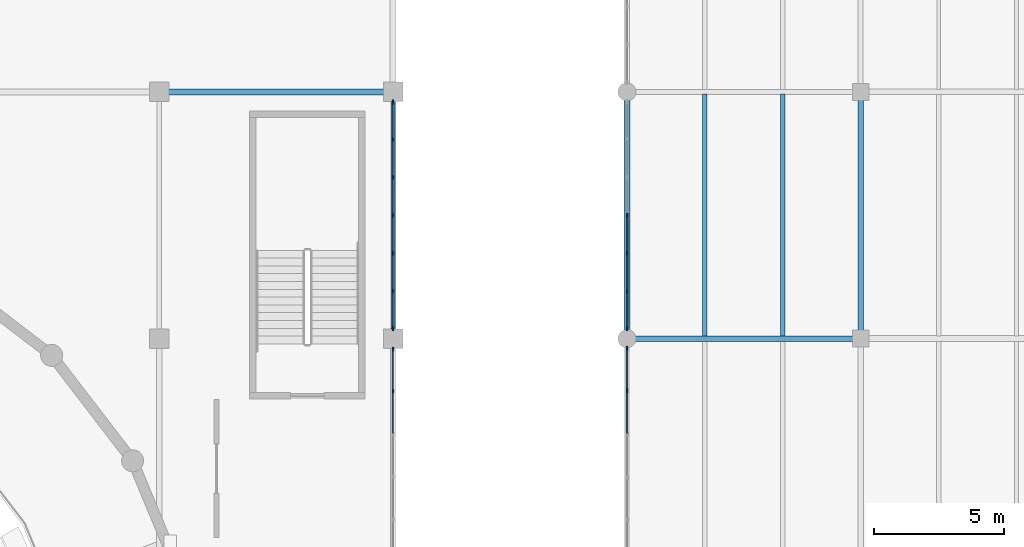
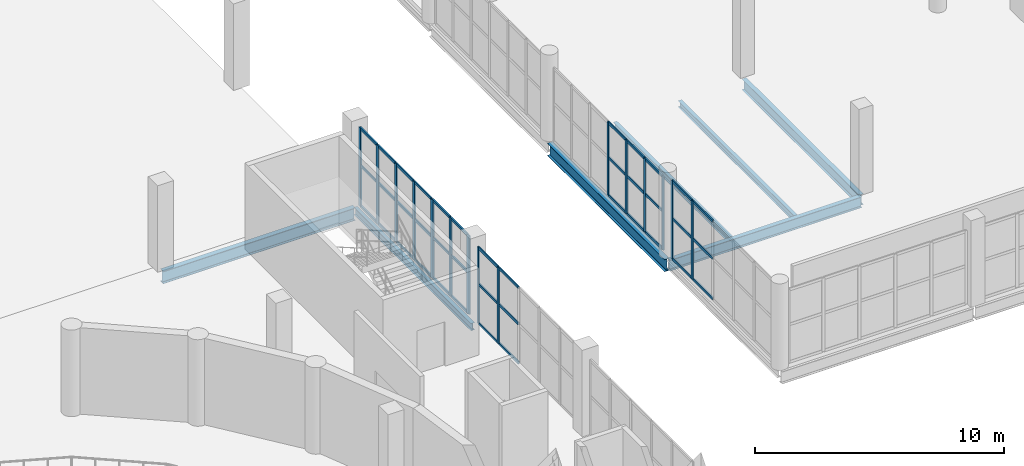
# One storey, part 41 of 85: 54 members, 7 beams, 4 elements without a shape of their own.
"""IFC4 building model written with IfcOpenShell, lengths in metres."""

from ifc_helpers import new_model, si_unit, direction, frame, origin, origin_2d, place, context, subcontext, project, spatial, rectangle, i_section, extrude, material, layer, layer_set, material_profile, profile_set, type_object, element, aggregate, save


model = new_model("IFC4")

# Units and contexts
model_context = context("Model", 3, precision=1e-05, world=origin(), true_north=direction((0.0, 1.0)))
body_context = subcontext(model_context, "Body", "Model", "MODEL_VIEW")
ifc_project = project(units=[si_unit("LENGTHUNIT", "METRE"), si_unit("AREAUNIT", "SQUARE_METRE"), si_unit("VOLUMEUNIT", "CUBIC_METRE"), si_unit("PLANEANGLEUNIT", "RADIAN"), si_unit("MASSUNIT", "GRAM", prefix="KILO")], contexts=[model_context])

# Site, building, storey
site_placement = place(None, origin())
site = spatial("IfcSite", under=ifc_project, at=site_placement, CompositionType="ELEMENT")
building_placement = place(site_placement, origin())
building = spatial("IfcBuilding", under=site, at=building_placement, Name="Marnock Terrace Opera House", CompositionType="ELEMENT")
storey_placement = place(building_placement, frame((0.0, 0.0, 10.199951171875)))
storey = spatial("IfcBuildingStorey", under=building, at=storey_placement, Name="L02", CompositionType="ELEMENT", Elevation=10.199951171875)

# Beams
ifc_material_1 = material(Name="Steel Grade 350 (AS/NZS 3679.1)", Category="steel")
ifc_material_profile_1 = material_profile(ifc_material_1, i_section(OverallWidth=0.1708984375, OverallDepth=0.355712890625, WebThickness=0.00732421875, FlangeThickness=0.011474609375, FilletRadius=0.011474609375, at=origin_2d()))
ifc_profile_set_1 = profile_set([ifc_material_profile_1], Name="Steel Grade 350 (AS/NZS 3679.1)")
beam_type_1 = type_object("IfcBeamType", Name="BM-GIRD-360", PredefinedType="BEAM", material=ifc_profile_set_1)
beam_1_placement = place(storey_placement, frame((109.0, 75.050048828125, -0.437744140625), z_axis=(0.0, 1.0, 0.0), x_axis=(-1.0, 0.0, 0.0)))
element("IfcBeam", 1, at=beam_1_placement, inside=storey, type_object=beam_type_1, Name="L02 girder (X=109.0, 75.0..84.5)", PredefinedType="BEAM", context=body_context, shape_type="SweptSolid", body=[
    extrude(i_section(OverallWidth=0.1708984375, OverallDepth=0.355712890625, WebThickness=0.00732421875, FlangeThickness=0.011474609375, FilletRadius=0.011474609375, at=origin_2d()), origin(), (0.0, 0.0, 1.0), 9.39990234375),
])
ifc_material_profile_2 = material_profile(ifc_material_1, i_section(OverallWidth=0.208984375, OverallDepth=0.532958984375, WebThickness=0.01025390625, FlangeThickness=0.015625, FilletRadius=0.013916015625, at=origin_2d()))
ifc_profile_set_2 = profile_set([ifc_material_profile_2], Name="Steel Grade 350 (AS/NZS 3679.1)")
beam_type_2 = type_object("IfcBeamType", Name="BM-GIRD-530A", PredefinedType="BEAM", material=ifc_profile_set_2)
beam_2_placement = place(storey_placement, frame((118.050048828125, 75.0, -0.5263671875), z_axis=(1.0, 0.0, 0.0), x_axis=(0.0, 1.0, 0.0)))
element("IfcBeam", 2, at=beam_2_placement, inside=storey, type_object=beam_type_2, Name="L02 girder (118.0..127.0, Y=75.0)", PredefinedType="BEAM", context=body_context, shape_type="SweptSolid", body=[
    extrude(i_section(OverallWidth=0.208984375, OverallDepth=0.532958984375, WebThickness=0.01025390625, FlangeThickness=0.015625, FilletRadius=0.013916015625, at=origin_2d()), origin(), (0.0, 0.0, 1.0), 8.89990234375),
])
ifc_material_profile_3 = material_profile(ifc_material_1, i_section(OverallWidth=0.208984375, OverallDepth=0.528076171875, WebThickness=0.009521484375, FlangeThickness=0.01318359375, FilletRadius=0.013916015625, at=origin_2d()))
ifc_profile_set_3 = profile_set([ifc_material_profile_3], Name="Steel Grade 350 (AS/NZS 3679.1)")
beam_type_3 = type_object("IfcBeamType", Name="BM-GIRD-530B", PredefinedType="BEAM", material=ifc_profile_set_3)
beam_3_placement = place(storey_placement, frame((127.0, 75.050048828125, -0.52392578125), z_axis=(0.0, 1.0, 0.0), x_axis=(-1.0, 0.0, 0.0)))
element("IfcBeam", 3, at=beam_3_placement, inside=storey, type_object=beam_type_3, Name="L02 girder (X=127.0, 75.0..84.5)", PredefinedType="BEAM", context=body_context, shape_type="SweptSolid", body=[
    extrude(i_section(OverallWidth=0.208984375, OverallDepth=0.528076171875, WebThickness=0.009521484375, FlangeThickness=0.01318359375, FilletRadius=0.013916015625, at=origin_2d()), origin(), (0.0, 0.0, 1.0), 9.39990234375),
])
ifc_material_profile_4 = material_profile(ifc_material_1, i_section(OverallWidth=0.22900390625, OverallDepth=0.611572265625, WebThickness=0.011962890625, FlangeThickness=0.01953125, FilletRadius=0.013916015625, at=origin_2d()))
ifc_profile_set_4 = profile_set([ifc_material_profile_4], Name="Steel Grade 350 (AS/NZS 3679.1)")
beam_type_4 = type_object("IfcBeamType", Name="BM-GIRD-610A", PredefinedType="BEAM", material=ifc_profile_set_4)
beam_4_placement = place(storey_placement, frame((100.050048828125, 84.5, -0.565673828125), z_axis=(1.0, 0.0, 0.0), x_axis=(0.0, 1.0, 0.0)))
element("IfcBeam", 4, at=beam_4_placement, inside=storey, type_object=beam_type_4, Name="L02 girder (100.0..109.0, Y=84.5)", PredefinedType="BEAM", context=body_context, shape_type="SweptSolid", body=[
    extrude(i_section(OverallWidth=0.22900390625, OverallDepth=0.611572265625, WebThickness=0.011962890625, FlangeThickness=0.01953125, FilletRadius=0.013916015625, at=origin_2d()), origin(), (0.0, 0.0, 1.0), 8.89990234375),
])
ifc_material_profile_5 = material_profile(ifc_material_1, i_section(OverallWidth=0.22802734375, OverallDepth=0.60205078125, WebThickness=0.010498046875, FlangeThickness=0.014892578125, FilletRadius=0.013916015625, at=origin_2d()))
ifc_profile_set_5 = profile_set([ifc_material_profile_5], Name="Steel Grade 350 (AS/NZS 3679.1)")
beam_type_5 = type_object("IfcBeamType", Name="BM-GIRD-610C", PredefinedType="BEAM", material=ifc_profile_set_5)
beam_5_placement = place(storey_placement, frame((118.0, 75.050048828125, -0.56103515625), z_axis=(0.0, 1.0, 0.0), x_axis=(-1.0, 0.0, 0.0)))
element("IfcBeam", 5, at=beam_5_placement, inside=storey, type_object=beam_type_5, Name="L02 girder (X=118.0, 75.0..84.5)", PredefinedType="BEAM", context=body_context, shape_type="SweptSolid", body=[
    extrude(i_section(OverallWidth=0.22802734375, OverallDepth=0.60205078125, WebThickness=0.010498046875, FlangeThickness=0.014892578125, FilletRadius=0.013916015625, at=origin_2d()), origin(), (0.0, 0.0, 1.0), 9.39990234375),
])
ifc_material_profile_6 = material_profile(ifc_material_1, i_section(OverallWidth=0.166015625, OverallDepth=0.30712890625, WebThickness=0.006591796875, FlangeThickness=0.01171875, FilletRadius=0.011474609375, at=origin_2d()))
ifc_profile_set_6 = profile_set([ifc_material_profile_6], Name="Steel Grade 350 (AS/NZS 3679.1)")
beam_type_6 = type_object("IfcBeamType", Name="BM-JOIST-310A", PredefinedType="JOIST", material=ifc_profile_set_6)
for number, where, z_axis, x_axis, name in (
    (6, (121.0, 75.099609375, -0.41357421875), (0.0, 1.0, 0.0), (-1.0, 0.0, 0.0), "L02 secondary joist 13.9.1"),
    (7, (124.0, 75.099609375, -0.41357421875), (0.0, 1.0, 0.0), (-1.0, 0.0, 0.0), "L02 secondary joist 13.9.2"),
):
    element("IfcBeam", number, at=place(storey_placement, frame(where, z_axis=z_axis, x_axis=x_axis)), inside=storey, type_object=beam_type_6, Name=name, PredefinedType="JOIST", context=body_context, shape_type="SweptSolid", body=[
        extrude(i_section(OverallWidth=0.166015625, OverallDepth=0.30712890625, WebThickness=0.006591796875, FlangeThickness=0.01171875, FilletRadius=0.011474609375, at=origin_2d()), origin(), (0.0, 0.0, 1.0), 9.309814453125),
    ])

# Curtain wall, members
ifc_material_2 = material(Name="Anodised architectural bronze aluminium framing", Category="aluminium")
ifc_layer_1 = layer(ifc_material_2, 0.159912109375)
ifc_layer_set_1 = layer_set([ifc_layer_1], Name="Anodised architectural bronze aluminium framing")
curtain_wall_type_1 = type_object("IfcCurtainWallType", Name="CW-FOYER-90x42", PredefinedType="NOTDEFINED", material=ifc_layer_set_1)
curtain_wall_1_placement = place(storey_placement, origin())
curtain_wall_1 = element("IfcCurtainWall", 8, at=curtain_wall_1_placement, inside=storey, type_object=curtain_wall_type_1, Name="L02 glazed Beaux-Arts colonnade curtain wall CW-V1E-L02-08", PredefinedType="NOTDEFINED")
ifc_material_profile_7 = material_profile(ifc_material_2, rectangle(XDim=0.06005859375, YDim=0.14990234375, at=origin_2d()))
ifc_profile_set_7 = profile_set([ifc_material_profile_7], Name="Anodised architectural bronze aluminium framing")
member_type_1 = type_object("IfcMemberType", Name="CWM-60x150", PredefinedType="MULLION", material=ifc_profile_set_7)
member_1_placement = place(storey_placement, frame((109.0, 72.977294921875, 0.0), z_axis=(0.0, 0.0, 1.0), x_axis=(-1.0, 0.0, 0.0)))
member_1 = element("IfcMember", 9, at=member_1_placement, type_object=member_type_1, Name="CW-68 mullion 5", PredefinedType="MULLION", context=body_context, shape_type="SweptSolid", body=[
    extrude(rectangle(XDim=0.06005859375, YDim=0.14990234375, at=origin_2d()), origin(), (0.0, 0.0, 1.0), 3.752685546875),
])
member_2_placement = place(storey_placement, frame((109.0, 74.59912109375, 0.0), z_axis=(0.0, 0.0, 1.0), x_axis=(-1.0, 0.0, 0.0)))
member_2 = element("IfcMember", 10, at=member_2_placement, type_object=member_type_1, Name="CW-68 mullion 6", PredefinedType="MULLION", context=body_context, shape_type="SweptSolid", body=[
    extrude(rectangle(XDim=0.06005859375, YDim=0.14990234375, at=origin_2d()), origin(), (0.0, 0.0, 1.0), 3.752685546875),
])

ifc_layer_2 = layer(ifc_material_2, 0.159912109375)
ifc_layer_set_2 = layer_set([ifc_layer_2], Name="Anodised architectural bronze aluminium framing")
curtain_wall_type_2 = type_object("IfcCurtainWallType", Name="CW-LOGGIA-86x42", PredefinedType="NOTDEFINED", material=ifc_layer_set_2)
curtain_wall_2_placement = place(storey_placement, origin())
curtain_wall_2 = element("IfcCurtainWall", 11, at=curtain_wall_2_placement, inside=storey, type_object=curtain_wall_type_2, Name="L02 glazed Beaux-Arts colonnade curtain wall CW-V5-L02-W5", PredefinedType="NOTDEFINED")
member_3_placement = place(storey_placement, frame((118.0, 72.992431640625, 0.0), z_axis=(0.0, 0.0, 1.0), x_axis=(-1.0, 0.0, 0.0)))
member_3 = element("IfcMember", 12, at=member_3_placement, type_object=member_type_1, Name="CW-66 mullion 5", PredefinedType="MULLION", context=body_context, shape_type="SweptSolid", body=[
    extrude(rectangle(XDim=0.06005859375, YDim=0.14990234375, at=origin_2d()), origin(), (0.0, 0.0, 1.0), 3.8544921875),
])
member_4_placement = place(storey_placement, frame((118.0, 74.6240234375, 0.0), z_axis=(0.0, 0.0, 1.0), x_axis=(-1.0, 0.0, 0.0)))
member_4 = element("IfcMember", 13, at=member_4_placement, type_object=member_type_1, Name="CW-66 mullion 6", PredefinedType="MULLION", context=body_context, shape_type="SweptSolid", body=[
    extrude(rectangle(XDim=0.06005859375, YDim=0.14990234375, at=origin_2d()), origin(), (0.0, 0.0, 1.0), 3.8544921875),
])

ifc_layer_3 = layer(ifc_material_2, 0.159912109375)
ifc_layer_set_3 = layer_set([ifc_layer_3], Name="Anodised architectural bronze aluminium framing")
curtain_wall_type_3 = type_object("IfcCurtainWallType", Name="CW-FOYER-95x42", PredefinedType="NOTDEFINED", material=ifc_layer_set_3)
curtain_wall_3_placement = place(storey_placement, origin())
curtain_wall_3 = element("IfcCurtainWall", 14, at=curtain_wall_3_placement, inside=storey, type_object=curtain_wall_type_3, Name="L02 glazed Beaux-Arts colonnade curtain wall CW-V5-L02-W6", PredefinedType="NOTDEFINED")
member_5_placement = place(storey_placement, frame((118.0, 75.3759765625, 0.0), z_axis=(0.0, 0.0, 1.0), x_axis=(-1.0, 0.0, 0.0)))
member_5 = element("IfcMember", 15, at=member_5_placement, type_object=member_type_1, Name="CW-17 mullion 1", PredefinedType="MULLION", context=body_context, shape_type="SweptSolid", body=[
    extrude(rectangle(XDim=0.06005859375, YDim=0.14990234375, at=origin_2d()), origin(), (0.0, 0.0, 1.0), 3.608154296875),
])
member_6_placement = place(storey_placement, frame((118.0, 76.81396484375, 0.0), z_axis=(0.0, 0.0, 1.0), x_axis=(-1.0, 0.0, 0.0)))
member_6 = element("IfcMember", 16, at=member_6_placement, type_object=member_type_1, Name="CW-17 mullion 2", PredefinedType="MULLION", context=body_context, shape_type="SweptSolid", body=[
    extrude(rectangle(XDim=0.06005859375, YDim=0.14990234375, at=origin_2d()), origin(), (0.0, 0.0, 1.0), 3.608154296875),
])
member_7_placement = place(storey_placement, frame((118.0, 78.281982421875, 0.0), z_axis=(0.0, 0.0, 1.0), x_axis=(-1.0, 0.0, 0.0)))
member_7 = element("IfcMember", 17, at=member_7_placement, type_object=member_type_1, Name="CW-17 mullion 3", PredefinedType="MULLION", context=body_context, shape_type="SweptSolid", body=[
    extrude(rectangle(XDim=0.06005859375, YDim=0.14990234375, at=origin_2d()), origin(), (0.0, 0.0, 1.0), 3.608154296875),
])
member_8_placement = place(storey_placement, frame((118.0, 79.75, 0.0), z_axis=(0.0, 0.0, 1.0), x_axis=(-1.0, 0.0, 0.0)))
member_8 = element("IfcMember", 18, at=member_8_placement, type_object=member_type_1, Name="CW-17 mullion 4", PredefinedType="MULLION", context=body_context, shape_type="SweptSolid", body=[
    extrude(rectangle(XDim=0.06005859375, YDim=0.14990234375, at=origin_2d()), origin(), (0.0, 0.0, 1.0), 3.608154296875),
])

curtain_wall_4_placement = place(storey_placement, origin())
curtain_wall_4 = element("IfcCurtainWall", 19, at=curtain_wall_4_placement, inside=storey, type_object=curtain_wall_type_1, Name="L02 glazed Beaux-Arts colonnade curtain wall CW-V1E-L02-09", PredefinedType="NOTDEFINED")
ifc_material_profile_8 = material_profile(ifc_material_2, rectangle(XDim=0.06494140625, YDim=0.179931640625, at=origin_2d()))
ifc_profile_set_8 = profile_set([ifc_material_profile_8], Name="Anodised architectural bronze aluminium framing")
member_type_2 = type_object("IfcMemberType", Name="CWM-65x180", PredefinedType="MULLION", material=ifc_profile_set_8)
member_9_placement = place(storey_placement, frame((109.0, 75.40087890625, 0.0), z_axis=(0.0, 0.0, 1.0), x_axis=(-1.0, 0.0, 0.0)))
member_9 = element("IfcMember", 20, at=member_9_placement, type_object=member_type_2, Name="CW-68 mullion 1", PredefinedType="MULLION", context=body_context, shape_type="SweptSolid", body=[
    extrude(rectangle(XDim=0.06494140625, YDim=0.179931640625, at=origin_2d()), origin(), (0.0, 0.0, 1.0), 3.8544921875),
])
member_10_placement = place(storey_placement, frame((109.0, 76.83056640625, 0.0), z_axis=(0.0, 0.0, 1.0), x_axis=(-1.0, 0.0, 0.0)))
member_10 = element("IfcMember", 21, at=member_10_placement, type_object=member_type_2, Name="CW-68 mullion 2", PredefinedType="MULLION", context=body_context, shape_type="SweptSolid", body=[
    extrude(rectangle(XDim=0.06494140625, YDim=0.179931640625, at=origin_2d()), origin(), (0.0, 0.0, 1.0), 3.8544921875),
])
member_11_placement = place(storey_placement, frame((109.0, 78.290283203125, 0.0), z_axis=(0.0, 0.0, 1.0), x_axis=(-1.0, 0.0, 0.0)))
member_11 = element("IfcMember", 22, at=member_11_placement, type_object=member_type_2, Name="CW-68 mullion 3", PredefinedType="MULLION", context=body_context, shape_type="SweptSolid", body=[
    extrude(rectangle(XDim=0.06494140625, YDim=0.179931640625, at=origin_2d()), origin(), (0.0, 0.0, 1.0), 3.8544921875),
])
member_12_placement = place(storey_placement, frame((109.0, 79.75, 0.0), z_axis=(0.0, 0.0, 1.0), x_axis=(-1.0, 0.0, 0.0)))
member_12 = element("IfcMember", 23, at=member_12_placement, type_object=member_type_2, Name="CW-68 mullion 4", PredefinedType="MULLION", context=body_context, shape_type="SweptSolid", body=[
    extrude(rectangle(XDim=0.06494140625, YDim=0.179931640625, at=origin_2d()), origin(), (0.0, 0.0, 1.0), 3.8544921875),
])
member_13_placement = place(storey_placement, frame((109.0, 81.209716796875, 0.0), z_axis=(0.0, 0.0, 1.0), x_axis=(-1.0, 0.0, 0.0)))
member_13 = element("IfcMember", 24, at=member_13_placement, type_object=member_type_2, Name="CW-68 mullion 5", PredefinedType="MULLION", context=body_context, shape_type="SweptSolid", body=[
    extrude(rectangle(XDim=0.06494140625, YDim=0.179931640625, at=origin_2d()), origin(), (0.0, 0.0, 1.0), 3.8544921875),
])
member_14_placement = place(storey_placement, frame((109.0, 82.66943359375, 0.0), z_axis=(0.0, 0.0, 1.0), x_axis=(-1.0, 0.0, 0.0)))
member_14 = element("IfcMember", 25, at=member_14_placement, type_object=member_type_2, Name="CW-68 mullion 6", PredefinedType="MULLION", context=body_context, shape_type="SweptSolid", body=[
    extrude(rectangle(XDim=0.06494140625, YDim=0.179931640625, at=origin_2d()), origin(), (0.0, 0.0, 1.0), 3.8544921875),
])
member_15_placement = place(storey_placement, frame((109.0, 84.09912109375, 0.0), z_axis=(0.0, 0.0, 1.0), x_axis=(-1.0, 0.0, 0.0)))
member_15 = element("IfcMember", 26, at=member_15_placement, type_object=member_type_2, Name="CW-68 mullion 7", PredefinedType="MULLION", context=body_context, shape_type="SweptSolid", body=[
    extrude(rectangle(XDim=0.06494140625, YDim=0.179931640625, at=origin_2d()), origin(), (0.0, 0.0, 1.0), 3.8544921875),
])

# Member
ifc_material_profile_9 = material_profile(ifc_material_2, rectangle(XDim=0.06005859375, YDim=0.1298828125, at=origin_2d()))
ifc_profile_set_9 = profile_set([ifc_material_profile_9], Name="Anodised architectural bronze aluminium framing")
member_type_3 = type_object("IfcMemberType", Name="CWT-60x130", PredefinedType="USERDEFINED", material=ifc_profile_set_9)
member_16_placement = place(storey_placement, frame((109.0, 71.355712890625, 0.030029296875), z_axis=(0.0, 1.0, 0.0), x_axis=(-1.0, 0.0, 0.0)))
member_16 = element("IfcMember", 27, at=member_16_placement, type_object=member_type_3, Name="CW-68 transom 4.1", ObjectType="TRANSOM", PredefinedType="USERDEFINED", context=body_context, shape_type="SweptSolid", body=[
    extrude(rectangle(XDim=0.06005859375, YDim=0.1298828125, at=origin_2d()), origin(), (0.0, 0.0, 1.0), 1.591796875),
])

member_17_placement = place(storey_placement, frame((109.0, 71.355712890625, 1.951416015625), z_axis=(0.0, 1.0, 0.0), x_axis=(-1.0, 0.0, 0.0)))
member_17 = element("IfcMember", 28, at=member_17_placement, type_object=member_type_3, Name="CW-68 transom 4.2", ObjectType="TRANSOM", PredefinedType="USERDEFINED", context=body_context, shape_type="SweptSolid", body=[
    extrude(rectangle(XDim=0.06005859375, YDim=0.1298828125, at=origin_2d()), origin(), (0.0, 0.0, 1.0), 1.591796875),
])

member_18_placement = place(storey_placement, frame((109.0, 71.355712890625, 3.72265625), z_axis=(0.0, 1.0, 0.0), x_axis=(-1.0, 0.0, 0.0)))
member_18 = element("IfcMember", 29, at=member_18_placement, type_object=member_type_3, Name="CW-68 transom 4.3", ObjectType="TRANSOM", PredefinedType="USERDEFINED", context=body_context, shape_type="SweptSolid", body=[
    extrude(rectangle(XDim=0.06005859375, YDim=0.1298828125, at=origin_2d()), origin(), (0.0, 0.0, 1.0), 1.591796875),
])

member_19_placement = place(storey_placement, frame((109.0, 73.00732421875, 0.030029296875), z_axis=(0.0, 1.0, 0.0), x_axis=(-1.0, 0.0, 0.0)))
member_19 = element("IfcMember", 30, at=member_19_placement, type_object=member_type_3, Name="CW-68 transom 5.1", ObjectType="TRANSOM", PredefinedType="USERDEFINED", context=body_context, shape_type="SweptSolid", body=[
    extrude(rectangle(XDim=0.06005859375, YDim=0.1298828125, at=origin_2d()), origin(), (0.0, 0.0, 1.0), 1.561767578125),
])

member_20_placement = place(storey_placement, frame((109.0, 73.00732421875, 1.951416015625), z_axis=(0.0, 1.0, 0.0), x_axis=(-1.0, 0.0, 0.0)))
member_20 = element("IfcMember", 31, at=member_20_placement, type_object=member_type_3, Name="CW-68 transom 5.2", ObjectType="TRANSOM", PredefinedType="USERDEFINED", context=body_context, shape_type="SweptSolid", body=[
    extrude(rectangle(XDim=0.06005859375, YDim=0.1298828125, at=origin_2d()), origin(), (0.0, 0.0, 1.0), 1.561767578125),
])

member_21_placement = place(storey_placement, frame((109.0, 73.00732421875, 3.72265625), z_axis=(0.0, 1.0, 0.0), x_axis=(-1.0, 0.0, 0.0)))
member_21 = element("IfcMember", 32, at=member_21_placement, type_object=member_type_3, Name="CW-68 transom 5.3", ObjectType="TRANSOM", PredefinedType="USERDEFINED", context=body_context, shape_type="SweptSolid", body=[
    extrude(rectangle(XDim=0.06005859375, YDim=0.1298828125, at=origin_2d()), origin(), (0.0, 0.0, 1.0), 1.561767578125),
])

aggregate(curtain_wall_1, [member_1, member_2, member_16, member_17, member_18, member_19, member_20, member_21])

member_22_placement = place(storey_placement, frame((109.0, 75.430908203125, 0.030029296875), z_axis=(0.0, 1.0, 0.0), x_axis=(-1.0, 0.0, 0.0)))
member_22 = element("IfcMember", 33, at=member_22_placement, type_object=member_type_3, Name="CW-68 transom 1.1", ObjectType="TRANSOM", PredefinedType="USERDEFINED", context=body_context, shape_type="SweptSolid", body=[
    extrude(rectangle(XDim=0.06005859375, YDim=0.1298828125, at=origin_2d()), origin(), (0.0, 0.0, 1.0), 1.369873046875),
])

member_23_placement = place(storey_placement, frame((109.0, 75.430908203125, 2.00439453125), z_axis=(0.0, 1.0, 0.0), x_axis=(-1.0, 0.0, 0.0)))
member_23 = element("IfcMember", 34, at=member_23_placement, type_object=member_type_3, Name="CW-68 transom 1.2", ObjectType="TRANSOM", PredefinedType="USERDEFINED", context=body_context, shape_type="SweptSolid", body=[
    extrude(rectangle(XDim=0.06005859375, YDim=0.1298828125, at=origin_2d()), origin(), (0.0, 0.0, 1.0), 1.369873046875),
])

member_24_placement = place(storey_placement, frame((109.0, 75.430908203125, 3.824462890625), z_axis=(0.0, 1.0, 0.0), x_axis=(-1.0, 0.0, 0.0)))
member_24 = element("IfcMember", 35, at=member_24_placement, type_object=member_type_3, Name="CW-68 transom 1.3", ObjectType="TRANSOM", PredefinedType="USERDEFINED", context=body_context, shape_type="SweptSolid", body=[
    extrude(rectangle(XDim=0.06005859375, YDim=0.1298828125, at=origin_2d()), origin(), (0.0, 0.0, 1.0), 1.369873046875),
])

member_25_placement = place(storey_placement, frame((109.0, 76.860595703125, 0.030029296875), z_axis=(0.0, 1.0, 0.0), x_axis=(-1.0, 0.0, 0.0)))
member_25 = element("IfcMember", 36, at=member_25_placement, type_object=member_type_3, Name="CW-68 transom 2.1", ObjectType="TRANSOM", PredefinedType="USERDEFINED", context=body_context, shape_type="SweptSolid", body=[
    extrude(rectangle(XDim=0.06005859375, YDim=0.1298828125, at=origin_2d()), origin(), (0.0, 0.0, 1.0), 1.399658203125),
])

member_26_placement = place(storey_placement, frame((109.0, 76.860595703125, 2.00439453125), z_axis=(0.0, 1.0, 0.0), x_axis=(-1.0, 0.0, 0.0)))
member_26 = element("IfcMember", 37, at=member_26_placement, type_object=member_type_3, Name="CW-68 transom 2.2", ObjectType="TRANSOM", PredefinedType="USERDEFINED", context=body_context, shape_type="SweptSolid", body=[
    extrude(rectangle(XDim=0.06005859375, YDim=0.1298828125, at=origin_2d()), origin(), (0.0, 0.0, 1.0), 1.399658203125),
])

member_27_placement = place(storey_placement, frame((109.0, 76.860595703125, 3.824462890625), z_axis=(0.0, 1.0, 0.0), x_axis=(-1.0, 0.0, 0.0)))
member_27 = element("IfcMember", 38, at=member_27_placement, type_object=member_type_3, Name="CW-68 transom 2.3", ObjectType="TRANSOM", PredefinedType="USERDEFINED", context=body_context, shape_type="SweptSolid", body=[
    extrude(rectangle(XDim=0.06005859375, YDim=0.1298828125, at=origin_2d()), origin(), (0.0, 0.0, 1.0), 1.399658203125),
])

member_28_placement = place(storey_placement, frame((109.0, 78.3203125, 0.030029296875), z_axis=(0.0, 1.0, 0.0), x_axis=(-1.0, 0.0, 0.0)))
member_28 = element("IfcMember", 39, at=member_28_placement, type_object=member_type_3, Name="CW-68 transom 3.1", ObjectType="TRANSOM", PredefinedType="USERDEFINED", context=body_context, shape_type="SweptSolid", body=[
    extrude(rectangle(XDim=0.06005859375, YDim=0.1298828125, at=origin_2d()), origin(), (0.0, 0.0, 1.0), 1.399658203125),
])

member_29_placement = place(storey_placement, frame((109.0, 78.3203125, 2.00439453125), z_axis=(0.0, 1.0, 0.0), x_axis=(-1.0, 0.0, 0.0)))
member_29 = element("IfcMember", 40, at=member_29_placement, type_object=member_type_3, Name="CW-68 transom 3.2", ObjectType="TRANSOM", PredefinedType="USERDEFINED", context=body_context, shape_type="SweptSolid", body=[
    extrude(rectangle(XDim=0.06005859375, YDim=0.1298828125, at=origin_2d()), origin(), (0.0, 0.0, 1.0), 1.399658203125),
])

member_30_placement = place(storey_placement, frame((109.0, 78.3203125, 3.824462890625), z_axis=(0.0, 1.0, 0.0), x_axis=(-1.0, 0.0, 0.0)))
member_30 = element("IfcMember", 41, at=member_30_placement, type_object=member_type_3, Name="CW-68 transom 3.3", ObjectType="TRANSOM", PredefinedType="USERDEFINED", context=body_context, shape_type="SweptSolid", body=[
    extrude(rectangle(XDim=0.06005859375, YDim=0.1298828125, at=origin_2d()), origin(), (0.0, 0.0, 1.0), 1.399658203125),
])

member_31_placement = place(storey_placement, frame((109.0, 79.780029296875, 0.030029296875), z_axis=(0.0, 1.0, 0.0), x_axis=(-1.0, 0.0, 0.0)))
member_31 = element("IfcMember", 42, at=member_31_placement, type_object=member_type_3, Name="CW-68 transom 4.1", ObjectType="TRANSOM", PredefinedType="USERDEFINED", context=body_context, shape_type="SweptSolid", body=[
    extrude(rectangle(XDim=0.06005859375, YDim=0.1298828125, at=origin_2d()), origin(), (0.0, 0.0, 1.0), 1.399658203125),
])

member_32_placement = place(storey_placement, frame((109.0, 79.780029296875, 2.00439453125), z_axis=(0.0, 1.0, 0.0), x_axis=(-1.0, 0.0, 0.0)))
member_32 = element("IfcMember", 43, at=member_32_placement, type_object=member_type_3, Name="CW-68 transom 4.2", ObjectType="TRANSOM", PredefinedType="USERDEFINED", context=body_context, shape_type="SweptSolid", body=[
    extrude(rectangle(XDim=0.06005859375, YDim=0.1298828125, at=origin_2d()), origin(), (0.0, 0.0, 1.0), 1.399658203125),
])

member_33_placement = place(storey_placement, frame((109.0, 79.780029296875, 3.824462890625), z_axis=(0.0, 1.0, 0.0), x_axis=(-1.0, 0.0, 0.0)))
member_33 = element("IfcMember", 44, at=member_33_placement, type_object=member_type_3, Name="CW-68 transom 4.3", ObjectType="TRANSOM", PredefinedType="USERDEFINED", context=body_context, shape_type="SweptSolid", body=[
    extrude(rectangle(XDim=0.06005859375, YDim=0.1298828125, at=origin_2d()), origin(), (0.0, 0.0, 1.0), 1.399658203125),
])

member_34_placement = place(storey_placement, frame((109.0, 81.23974609375, 0.030029296875), z_axis=(0.0, 1.0, 0.0), x_axis=(-1.0, 0.0, 0.0)))
member_34 = element("IfcMember", 45, at=member_34_placement, type_object=member_type_3, Name="CW-68 transom 5.1", ObjectType="TRANSOM", PredefinedType="USERDEFINED", context=body_context, shape_type="SweptSolid", body=[
    extrude(rectangle(XDim=0.06005859375, YDim=0.1298828125, at=origin_2d()), origin(), (0.0, 0.0, 1.0), 1.399658203125),
])

member_35_placement = place(storey_placement, frame((109.0, 81.23974609375, 2.00439453125), z_axis=(0.0, 1.0, 0.0), x_axis=(-1.0, 0.0, 0.0)))
member_35 = element("IfcMember", 46, at=member_35_placement, type_object=member_type_3, Name="CW-68 transom 5.2", ObjectType="TRANSOM", PredefinedType="USERDEFINED", context=body_context, shape_type="SweptSolid", body=[
    extrude(rectangle(XDim=0.06005859375, YDim=0.1298828125, at=origin_2d()), origin(), (0.0, 0.0, 1.0), 1.399658203125),
])

member_36_placement = place(storey_placement, frame((109.0, 81.23974609375, 3.824462890625), z_axis=(0.0, 1.0, 0.0), x_axis=(-1.0, 0.0, 0.0)))
member_36 = element("IfcMember", 47, at=member_36_placement, type_object=member_type_3, Name="CW-68 transom 5.3", ObjectType="TRANSOM", PredefinedType="USERDEFINED", context=body_context, shape_type="SweptSolid", body=[
    extrude(rectangle(XDim=0.06005859375, YDim=0.1298828125, at=origin_2d()), origin(), (0.0, 0.0, 1.0), 1.399658203125),
])

member_37_placement = place(storey_placement, frame((109.0, 82.69921875, 0.030029296875), z_axis=(0.0, 1.0, 0.0), x_axis=(-1.0, 0.0, 0.0)))
member_37 = element("IfcMember", 48, at=member_37_placement, type_object=member_type_3, Name="CW-68 transom 6.1", ObjectType="TRANSOM", PredefinedType="USERDEFINED", context=body_context, shape_type="SweptSolid", body=[
    extrude(rectangle(XDim=0.06005859375, YDim=0.1298828125, at=origin_2d()), origin(), (0.0, 0.0, 1.0), 1.369873046875),
])

member_38_placement = place(storey_placement, frame((109.0, 82.69921875, 2.00439453125), z_axis=(0.0, 1.0, 0.0), x_axis=(-1.0, 0.0, 0.0)))
member_38 = element("IfcMember", 49, at=member_38_placement, type_object=member_type_3, Name="CW-68 transom 6.2", ObjectType="TRANSOM", PredefinedType="USERDEFINED", context=body_context, shape_type="SweptSolid", body=[
    extrude(rectangle(XDim=0.06005859375, YDim=0.1298828125, at=origin_2d()), origin(), (0.0, 0.0, 1.0), 1.369873046875),
])

member_39_placement = place(storey_placement, frame((109.0, 82.69921875, 3.824462890625), z_axis=(0.0, 1.0, 0.0), x_axis=(-1.0, 0.0, 0.0)))
member_39 = element("IfcMember", 50, at=member_39_placement, type_object=member_type_3, Name="CW-68 transom 6.3", ObjectType="TRANSOM", PredefinedType="USERDEFINED", context=body_context, shape_type="SweptSolid", body=[
    extrude(rectangle(XDim=0.06005859375, YDim=0.1298828125, at=origin_2d()), origin(), (0.0, 0.0, 1.0), 1.369873046875),
])

aggregate(curtain_wall_4, [member_9, member_10, member_11, member_12, member_13, member_14, member_15, member_22, member_23, member_24, member_25, member_26, member_27, member_28, member_29, member_30, member_31, member_32, member_33, member_34, member_35, member_36, member_37, member_38, member_39])

member_40_placement = place(storey_placement, frame((118.0, 71.36083984375, 0.030029296875), z_axis=(0.0, 1.0, 0.0), x_axis=(-1.0, 0.0, 0.0)))
member_40 = element("IfcMember", 51, at=member_40_placement, type_object=member_type_3, Name="CW-66 transom 4.1", ObjectType="TRANSOM", PredefinedType="USERDEFINED", context=body_context, shape_type="SweptSolid", body=[
    extrude(rectangle(XDim=0.06005859375, YDim=0.1298828125, at=origin_2d()), origin(), (0.0, 0.0, 1.0), 1.6015625),
])

member_41_placement = place(storey_placement, frame((118.0, 71.36083984375, 2.00439453125), z_axis=(0.0, 1.0, 0.0), x_axis=(-1.0, 0.0, 0.0)))
member_41 = element("IfcMember", 52, at=member_41_placement, type_object=member_type_3, Name="CW-66 transom 4.2", ObjectType="TRANSOM", PredefinedType="USERDEFINED", context=body_context, shape_type="SweptSolid", body=[
    extrude(rectangle(XDim=0.06005859375, YDim=0.1298828125, at=origin_2d()), origin(), (0.0, 0.0, 1.0), 1.6015625),
])

member_42_placement = place(storey_placement, frame((118.0, 71.36083984375, 3.824462890625), z_axis=(0.0, 1.0, 0.0), x_axis=(-1.0, 0.0, 0.0)))
member_42 = element("IfcMember", 53, at=member_42_placement, type_object=member_type_3, Name="CW-66 transom 4.3", ObjectType="TRANSOM", PredefinedType="USERDEFINED", context=body_context, shape_type="SweptSolid", body=[
    extrude(rectangle(XDim=0.06005859375, YDim=0.1298828125, at=origin_2d()), origin(), (0.0, 0.0, 1.0), 1.6015625),
])

member_43_placement = place(storey_placement, frame((118.0, 73.0224609375, 0.030029296875), z_axis=(0.0, 1.0, 0.0), x_axis=(-1.0, 0.0, 0.0)))
member_43 = element("IfcMember", 54, at=member_43_placement, type_object=member_type_3, Name="CW-66 transom 5.1", ObjectType="TRANSOM", PredefinedType="USERDEFINED", context=body_context, shape_type="SweptSolid", body=[
    extrude(rectangle(XDim=0.06005859375, YDim=0.1298828125, at=origin_2d()), origin(), (0.0, 0.0, 1.0), 1.571533203125),
])

member_44_placement = place(storey_placement, frame((118.0, 73.0224609375, 2.00439453125), z_axis=(0.0, 1.0, 0.0), x_axis=(-1.0, 0.0, 0.0)))
member_44 = element("IfcMember", 55, at=member_44_placement, type_object=member_type_3, Name="CW-66 transom 5.2", ObjectType="TRANSOM", PredefinedType="USERDEFINED", context=body_context, shape_type="SweptSolid", body=[
    extrude(rectangle(XDim=0.06005859375, YDim=0.1298828125, at=origin_2d()), origin(), (0.0, 0.0, 1.0), 1.571533203125),
])

member_45_placement = place(storey_placement, frame((118.0, 73.0224609375, 3.824462890625), z_axis=(0.0, 1.0, 0.0), x_axis=(-1.0, 0.0, 0.0)))
member_45 = element("IfcMember", 56, at=member_45_placement, type_object=member_type_3, Name="CW-66 transom 5.3", ObjectType="TRANSOM", PredefinedType="USERDEFINED", context=body_context, shape_type="SweptSolid", body=[
    extrude(rectangle(XDim=0.06005859375, YDim=0.1298828125, at=origin_2d()), origin(), (0.0, 0.0, 1.0), 1.571533203125),
])

aggregate(curtain_wall_2, [member_3, member_4, member_40, member_41, member_42, member_43, member_44, member_45])

member_46_placement = place(storey_placement, frame((118.0, 75.406005859375, 0.030029296875), z_axis=(0.0, 1.0, 0.0), x_axis=(-1.0, 0.0, 0.0)))
member_46 = element("IfcMember", 57, at=member_46_placement, type_object=member_type_3, Name="CW-17 transom 1.1", ObjectType="TRANSOM", PredefinedType="USERDEFINED", context=body_context, shape_type="SweptSolid", body=[
    extrude(rectangle(XDim=0.06005859375, YDim=0.1298828125, at=origin_2d()), origin(), (0.0, 0.0, 1.0), 1.3779296875),
])

member_47_placement = place(storey_placement, frame((118.0, 75.406005859375, 1.876220703125), z_axis=(0.0, 1.0, 0.0), x_axis=(-1.0, 0.0, 0.0)))
member_47 = element("IfcMember", 58, at=member_47_placement, type_object=member_type_3, Name="CW-17 transom 1.2", ObjectType="TRANSOM", PredefinedType="USERDEFINED", context=body_context, shape_type="SweptSolid", body=[
    extrude(rectangle(XDim=0.06005859375, YDim=0.1298828125, at=origin_2d()), origin(), (0.0, 0.0, 1.0), 1.3779296875),
])

member_48_placement = place(storey_placement, frame((118.0, 75.406005859375, 3.578125), z_axis=(0.0, 1.0, 0.0), x_axis=(-1.0, 0.0, 0.0)))
member_48 = element("IfcMember", 59, at=member_48_placement, type_object=member_type_3, Name="CW-17 transom 1.3", ObjectType="TRANSOM", PredefinedType="USERDEFINED", context=body_context, shape_type="SweptSolid", body=[
    extrude(rectangle(XDim=0.06005859375, YDim=0.1298828125, at=origin_2d()), origin(), (0.0, 0.0, 1.0), 1.3779296875),
])

member_49_placement = place(storey_placement, frame((118.0, 76.843994140625, 0.030029296875), z_axis=(0.0, 1.0, 0.0), x_axis=(-1.0, 0.0, 0.0)))
member_49 = element("IfcMember", 60, at=member_49_placement, type_object=member_type_3, Name="CW-17 transom 2.1", ObjectType="TRANSOM", PredefinedType="USERDEFINED", context=body_context, shape_type="SweptSolid", body=[
    extrude(rectangle(XDim=0.06005859375, YDim=0.1298828125, at=origin_2d()), origin(), (0.0, 0.0, 1.0), 1.407958984375),
])

member_50_placement = place(storey_placement, frame((118.0, 76.843994140625, 1.876220703125), z_axis=(0.0, 1.0, 0.0), x_axis=(-1.0, 0.0, 0.0)))
member_50 = element("IfcMember", 61, at=member_50_placement, type_object=member_type_3, Name="CW-17 transom 2.2", ObjectType="TRANSOM", PredefinedType="USERDEFINED", context=body_context, shape_type="SweptSolid", body=[
    extrude(rectangle(XDim=0.06005859375, YDim=0.1298828125, at=origin_2d()), origin(), (0.0, 0.0, 1.0), 1.407958984375),
])

member_51_placement = place(storey_placement, frame((118.0, 76.843994140625, 3.578125), z_axis=(0.0, 1.0, 0.0), x_axis=(-1.0, 0.0, 0.0)))
member_51 = element("IfcMember", 62, at=member_51_placement, type_object=member_type_3, Name="CW-17 transom 2.3", ObjectType="TRANSOM", PredefinedType="USERDEFINED", context=body_context, shape_type="SweptSolid", body=[
    extrude(rectangle(XDim=0.06005859375, YDim=0.1298828125, at=origin_2d()), origin(), (0.0, 0.0, 1.0), 1.407958984375),
])

member_52_placement = place(storey_placement, frame((118.0, 78.31201171875, 0.030029296875), z_axis=(0.0, 1.0, 0.0), x_axis=(-1.0, 0.0, 0.0)))
member_52 = element("IfcMember", 63, at=member_52_placement, type_object=member_type_3, Name="CW-17 transom 3.1", ObjectType="TRANSOM", PredefinedType="USERDEFINED", context=body_context, shape_type="SweptSolid", body=[
    extrude(rectangle(XDim=0.06005859375, YDim=0.1298828125, at=origin_2d()), origin(), (0.0, 0.0, 1.0), 1.407958984375),
])

member_53_placement = place(storey_placement, frame((118.0, 78.31201171875, 1.876220703125), z_axis=(0.0, 1.0, 0.0), x_axis=(-1.0, 0.0, 0.0)))
member_53 = element("IfcMember", 64, at=member_53_placement, type_object=member_type_3, Name="CW-17 transom 3.2", ObjectType="TRANSOM", PredefinedType="USERDEFINED", context=body_context, shape_type="SweptSolid", body=[
    extrude(rectangle(XDim=0.06005859375, YDim=0.1298828125, at=origin_2d()), origin(), (0.0, 0.0, 1.0), 1.407958984375),
])

member_54_placement = place(storey_placement, frame((118.0, 78.31201171875, 3.578125), z_axis=(0.0, 1.0, 0.0), x_axis=(-1.0, 0.0, 0.0)))
member_54 = element("IfcMember", 65, at=member_54_placement, type_object=member_type_3, Name="CW-17 transom 3.3", ObjectType="TRANSOM", PredefinedType="USERDEFINED", context=body_context, shape_type="SweptSolid", body=[
    extrude(rectangle(XDim=0.06005859375, YDim=0.1298828125, at=origin_2d()), origin(), (0.0, 0.0, 1.0), 1.407958984375),
])

aggregate(curtain_wall_3, [member_5, member_6, member_7, member_8, member_46, member_47, member_48, member_49, member_50, member_51, member_52, member_53, member_54])

save(model, "model.ifc")
